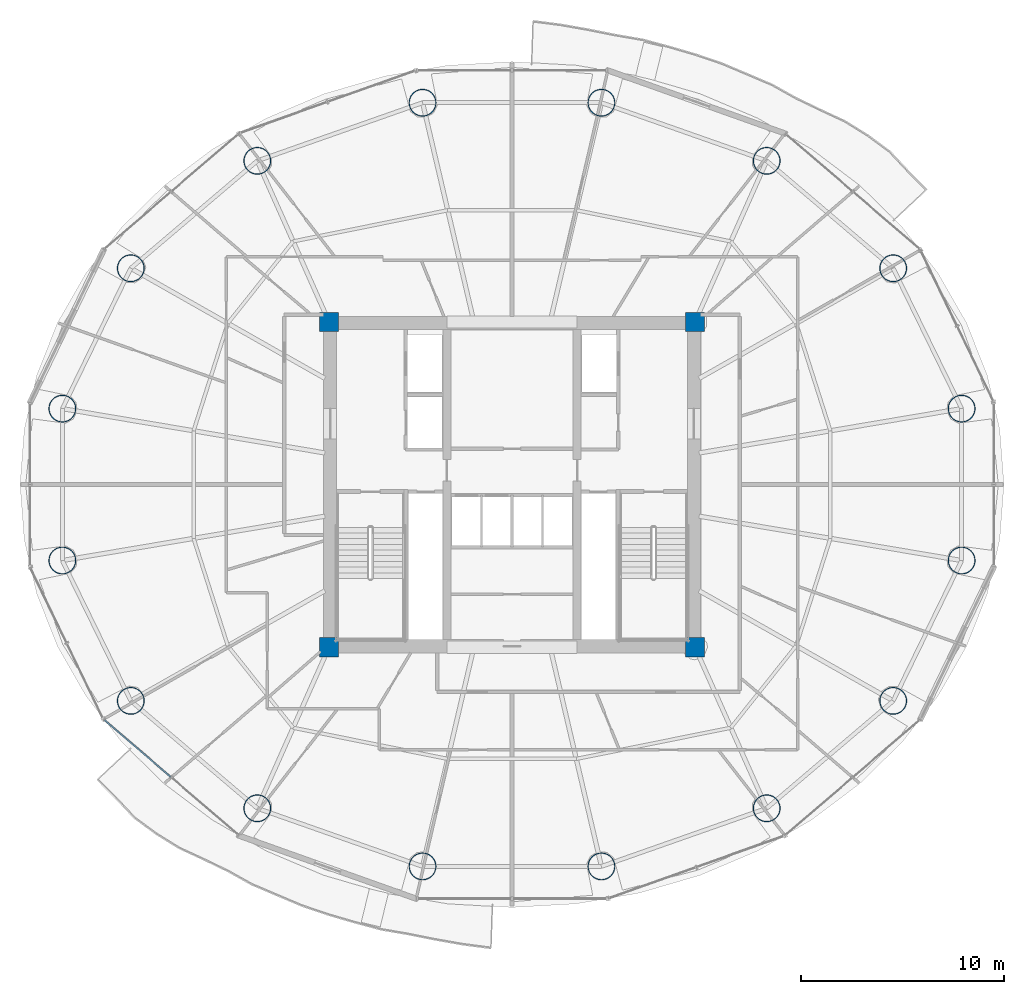
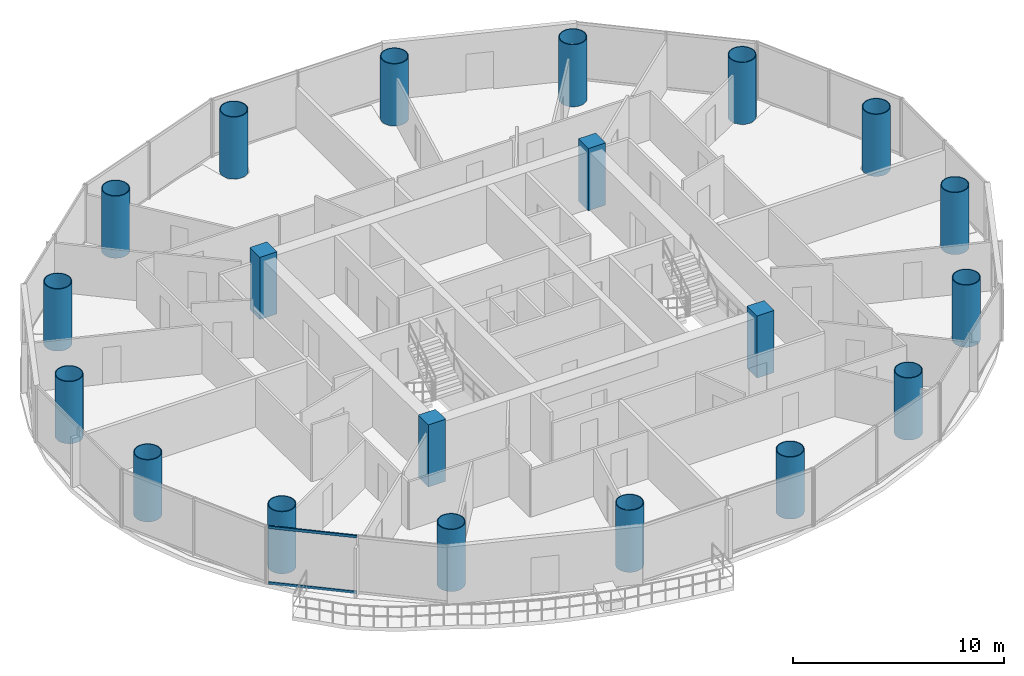
# One storey, part 1 of 27: 20 columns, 2 members, 1 element without a shape of its own.
"""IFC4 building model written with IfcOpenShell, lengths in metres."""

from ifc_helpers import new_model, si_unit, direction, frame, origin, origin_2d, place, context, subcontext, project, spatial, rectangle, hollow_rectangle, hollow_circle, extrude, source, transform, mapped, material, material_profile, profile_set, type_object, element, aggregate, save


model = new_model("IFC4")

# Units and contexts
model_context = context("Model", 3, precision=1e-05, world=origin(), true_north=direction((-0.2419218956, 0.970295726276)))
body_context = subcontext(model_context, "Body", "Model", "MODEL_VIEW")
ifc_project = project(units=[si_unit("LENGTHUNIT", "METRE"), si_unit("AREAUNIT", "SQUARE_METRE"), si_unit("VOLUMEUNIT", "CUBIC_METRE"), si_unit("PLANEANGLEUNIT", "RADIAN"), si_unit("MASSUNIT", "GRAM", prefix="KILO")], contexts=[model_context])

# Site, building, storey
site_placement = place(None, origin())
site = spatial("IfcSite", under=ifc_project, at=site_placement, CompositionType="ELEMENT")
building_placement = place(site_placement, origin())
building = spatial("IfcBuilding", under=site, at=building_placement, Name="Cobrevalo Terracotta Tower", CompositionType="ELEMENT")
storey_placement = place(building_placement, frame((0.0, 0.0, 157.0)))
storey = spatial("IfcBuildingStorey", under=building, at=storey_placement, Name="L41", CompositionType="ELEMENT", Elevation=157.0)

# Columns
ifc_material_1 = material(Name="Steel S355", Category="steel")
ifc_material_profile_1 = material_profile(ifc_material_1, hollow_circle(Radius=0.675048828125, WallThickness=0.0419921875, at=origin_2d()), Name="CHS 1350x42")
ifc_profile_set_1 = profile_set([ifc_material_profile_1], Name="Steel S355")
column_type_1 = type_object("IfcColumnType", Name="Structural Column CHS 1350x42 (Steel S355)", PredefinedType="COLUMN", material=ifc_profile_set_1)
for number, where, z_axis, x_axis, name in (
    (1, (60.11669921875, 30.535888671875, 0.0), (0.0, 0.0, 1.0), (1.0, 0.0, 0.0), "L41 composite megacolumn MC01"),
    (2, (56.749755859375, 37.439208984375, 0.0), (0.0, 0.0, 1.0), (1.0, 0.0, 0.0), "L41 composite megacolumn MC02"),
    (3, (50.528076171875, 42.72265625, 0.0), (0.0, 0.0, 1.0), (1.0, 0.0, 0.0), "L41 composite megacolumn MC03"),
    (4, (42.399169921875, 45.58203125, 0.0), (0.0, 0.0, 1.0), (1.0, 0.0, 0.0), "L41 composite megacolumn MC04"),
    (5, (33.600830078125, 45.58203125, 0.0), (0.0, 0.0, 1.0), (1.0, 0.0, 0.0), "L41 composite megacolumn MC05"),
    (6, (25.471923828125, 42.72265625, 0.0), (0.0, 0.0, 1.0), (1.0, 0.0, 0.0), "L41 composite megacolumn MC06"),
    (7, (19.250244140625, 37.439208984375, 0.0), (0.0, 0.0, 1.0), (1.0, 0.0, 0.0), "L41 composite megacolumn MC07"),
    (8, (15.88330078125, 30.535888671875, 0.0), (0.0, 0.0, 1.0), (1.0, 0.0, 0.0), "L41 composite megacolumn MC08"),
    (9, (15.88330078125, 23.06396484375, 0.0), (0.0, 0.0, 1.0), (1.0, 0.0, 0.0), "L41 composite megacolumn MC09"),
    (10, (19.250244140625, 16.160888671875, 0.0), (0.0, 0.0, 1.0), (1.0, 0.0, 0.0), "L41 composite megacolumn MC10"),
    (11, (25.471923828125, 10.87744140625, 0.0), (0.0, 0.0, 1.0), (1.0, 0.0, 0.0), "L41 composite megacolumn MC11"),
    (12, (33.600830078125, 8.01806640625, 0.0), (0.0, 0.0, 1.0), (1.0, 0.0, 0.0), "L41 composite megacolumn MC12"),
    (13, (42.399169921875, 8.01806640625, 0.0), (0.0, 0.0, 1.0), (1.0, 0.0, 0.0), "L41 composite megacolumn MC13"),
    (14, (50.528076171875, 10.87744140625, 0.0), (0.0, 0.0, 1.0), (1.0, 0.0, 0.0), "L41 composite megacolumn MC14"),
    (15, (56.749755859375, 16.160888671875, 0.0), (0.0, 0.0, 1.0), (1.0, 0.0, 0.0), "L41 composite megacolumn MC15"),
    (16, (60.11669921875, 23.06396484375, 0.0), (0.0, 0.0, 1.0), (1.0, 0.0, 0.0), "L41 composite megacolumn MC16"),
):
    element("IfcColumn", number, at=place(storey_placement, frame(where, z_axis=z_axis, x_axis=x_axis)), inside=storey, type_object=column_type_1, Name=name, PredefinedType="COLUMN", context=body_context, shape_type="SweptSolid", body=[
        extrude(hollow_circle(Radius=0.675048828125, WallThickness=0.0419921875, at=origin_2d()), origin(), (0.0, 0.0, 1.0), 3.60009765625),
    ])
ifc_material_2 = material(Name="Concrete C55", Category="concrete")
ifc_material_profile_2 = material_profile(ifc_material_2, rectangle(XDim=0.949951171875, YDim=0.949951171875, at=origin_2d()), Name="RC COL 950x950")
ifc_profile_set_2 = profile_set([ifc_material_profile_2], Name="Concrete C55")
column_type_2 = type_object("IfcColumnType", Name="Structural Column RC COL 950x950 (Concrete C55)", PredefinedType="COLUMN", material=ifc_profile_set_2)
for number, where, z_axis, x_axis, name in (
    (17, (29.0, 18.800048828125, 0.0), (0.0, 0.0, 1.0), (1.0, 0.0, 0.0), "L41 core corner column CC1"),
    (18, (47.0, 18.800048828125, 0.0), (0.0, 0.0, 1.0), (1.0, 0.0, 0.0), "L41 core corner column CC2"),
    (19, (47.0, 34.800048828125, 0.0), (0.0, 0.0, 1.0), (1.0, 0.0, 0.0), "L41 core corner column CC3"),
    (20, (29.0, 34.800048828125, 0.0), (0.0, 0.0, 1.0), (1.0, 0.0, 0.0), "L41 core corner column CC4"),
):
    element("IfcColumn", number, at=place(storey_placement, frame(where, z_axis=z_axis, x_axis=x_axis)), inside=storey, type_object=column_type_2, Name=name, PredefinedType="COLUMN", context=body_context, shape_type="SweptSolid", body=[
        extrude(rectangle(XDim=0.949951171875, YDim=0.949951171875, at=origin_2d()), origin(), (0.0, 0.0, 1.0), 3.60009765625),
    ])

# Curtain wall, members
ifc_material_3 = material(Name="Anodized aluminium", Category="aluminium")
curtain_wall_type = type_object("IfcCurtainWallType", Name="Mid-tower high-wind unitised curtain wall CW-U2", PredefinedType="NOTDEFINED", material=ifc_material_3)
curtain_wall_placement = place(storey_placement, origin())
curtain_wall = element("IfcCurtainWall", 21, at=curtain_wall_placement, inside=storey, type_object=curtain_wall_type, Name="L41 curtain wall CW-L41-S10", PredefinedType="NOTDEFINED")
ifc_material_profile_3 = material_profile(ifc_material_3, hollow_rectangle(XDim=0.074951171875, YDim=0.14990234375, WallThickness=0.00439453125, at=origin_2d()), Name="CWT 75x150")
ifc_profile_set_3 = profile_set([ifc_material_profile_3], Name="Anodized aluminium")
member_type = type_object("IfcMemberType", Name="Tower unitised aluminium transom 75x150", PredefinedType="USERDEFINED", material=ifc_profile_set_3)
shared_shape = source(origin(), body_context, "Body", "SweptSolid", [
    extrude(hollow_rectangle(XDim=0.074951171875, YDim=0.14990234375, WallThickness=0.00439453125, at=origin_2d()), origin(), (0.0, 0.0, 1.0), 4.276123046875),
])
member_1_placement = place(storey_placement, frame((17.964111328125, 15.208740234375, 0.050048828125), z_axis=(0.758417719247, -0.651768795764, 0.0), x_axis=(0.651768795764, 0.758417719247, 0.0)))
member_1 = element("IfcMember", 22, at=member_1_placement, type_object=member_type, Name="CW-L41-S10 transom B01-T1", ObjectType="TRANSOM", PredefinedType="USERDEFINED", context=body_context, shape_type="MappedRepresentation", body=[
    mapped(shared_shape, transform((0.0, 0.0, 0.0), scale=1.0)),
])
member_2_placement = place(storey_placement, frame((17.964111328125, 15.208740234375, 3.280029296875), z_axis=(0.758417719247, -0.651768795764, 0.0), x_axis=(0.651768795764, 0.758417719247, 0.0)))
member_2 = element("IfcMember", 23, at=member_2_placement, type_object=member_type, Name="CW-L41-S10 transom B01-T2", ObjectType="TRANSOM", PredefinedType="USERDEFINED", context=body_context, shape_type="MappedRepresentation", body=[
    mapped(shared_shape, transform((0.0, 0.0, 0.0), scale=1.0)),
])
aggregate(curtain_wall, [member_1, member_2])

save(model, "model.ifc")
